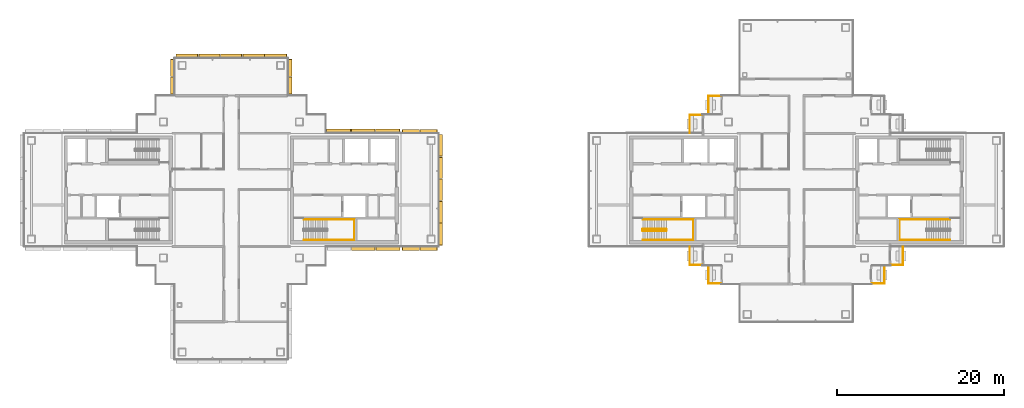
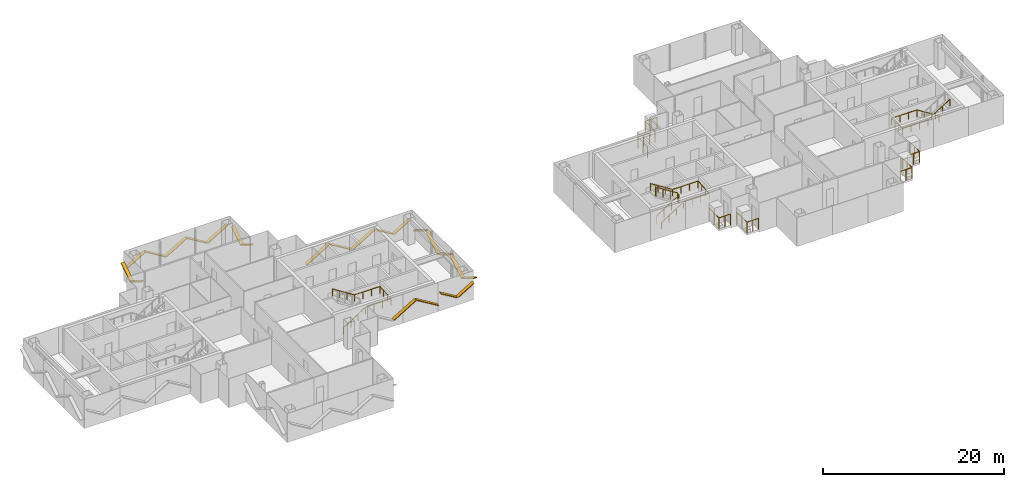
# One storey, part 15 of 17: 23 shading devices, 10 railings.
"""IFC4 building model written with IfcOpenShell, lengths in metres."""

from ifc_helpers import new_model, si_unit, direction, frame, origin, origin_2d, place, context, subcontext, project, spatial, rectangle, circle, extrude, material, material_profile, profile_set, type_object, element, save


model = new_model("IFC4")

# Units and contexts
model_context = context("Model", 3, precision=1e-05, world=origin(), true_north=direction((0.0, 1.0)))
body_context = subcontext(model_context, "Body", "Model", "MODEL_VIEW")
ifc_project = project(units=[si_unit("LENGTHUNIT", "METRE"), si_unit("AREAUNIT", "SQUARE_METRE"), si_unit("VOLUMEUNIT", "CUBIC_METRE"), si_unit("PLANEANGLEUNIT", "RADIAN"), si_unit("MASSUNIT", "GRAM", prefix="KILO")], contexts=[model_context])

# Site, building, storey
site_placement = place(None, origin())
site = spatial("IfcSite", under=ifc_project, at=site_placement, CompositionType="ELEMENT")
building_placement = place(site_placement, origin())
building = spatial("IfcBuilding", under=site, at=building_placement, Name="Shamsa Quay Exchange Towers", CompositionType="ELEMENT")
storey_placement = place(building_placement, frame((0.0, 0.0, 230.39990234375)))
storey = spatial("IfcBuildingStorey", under=building, at=storey_placement, Name="L55", CompositionType="ELEMENT", Elevation=230.39990234375)

# Railings
ifc_material_1 = material(Name="Steel S355, black powder-coated", Category="steel")
railing_type_1 = type_object("IfcRailingType", Name="BALCONY GUARD 1500", PredefinedType="GUARDRAIL", material=ifc_material_1)
for number, where, name in (
    (1, (24.72900390625, 11.199951171875, 0.0), "Balcony guard T2-PKEN L55"),
    (2, (22.47900390625, 8.949951171875, 0.0), "Balcony guard T2-PKEN L55"),
):
    element("IfcRailing", number, at=place(storey_placement, frame(where)), inside=storey, type_object=railing_type_1, Name=name, PredefinedType="GUARDRAIL", context=body_context, shape_type="SweptSolid", body=[
        extrude(circle(Radius=0.02392578125, at=origin_2d()), frame((0.0, 0.0, 1.47607421875), z_axis=(-1.0, 0.0, 0.0), x_axis=(0.0, -1.0, 0.0)), (0.0, 0.0, 1.0), 1.47900390625),
        extrude(circle(Radius=0.02392578125, at=origin_2d()), frame((-1.47900390625, 0.0, 1.47607421875), z_axis=(0.0, -1.0, 0.0), x_axis=(1.0, 0.0, 0.0)), (0.0, 0.0, 1.0), 2.161865234375),
        extrude(circle(Radius=0.02099609375, at=origin_2d()), origin(), (0.0, 0.0, 1.0), 1.451904296875),
        extrude(circle(Radius=0.02099609375, at=origin_2d()), frame((-0.739501953125, 0.0, 0.0)), (0.0, 0.0, 1.0), 1.451904296875),
        extrude(circle(Radius=0.02099609375, at=origin_2d()), frame((-1.47900390625, 0.0, 0.0)), (0.0, 0.0, 1.0), 1.451904296875),
        extrude(circle(Radius=0.02099609375, at=origin_2d()), frame((-1.47900390625, -1.0810546875, 0.0)), (0.0, 0.0, 1.0), 1.451904296875),
        extrude(circle(Radius=0.02099609375, at=origin_2d()), frame((-1.47900390625, -2.161865234375, 0.0)), (0.0, 0.0, 1.0), 1.451904296875),
    ])
for number, where, name in (
    (3, (21.0, -6.7880859375, 0.0), "Balcony guard T2-PKWN L55"),
    (4, (23.25, -9.0380859375, 0.0), "Balcony guard T2-PKWN L55"),
):
    element("IfcRailing", number, at=place(storey_placement, frame(where)), inside=storey, type_object=railing_type_1, Name=name, PredefinedType="GUARDRAIL", context=body_context, shape_type="SweptSolid", body=[
        extrude(circle(Radius=0.02392578125, at=origin_2d()), frame((0.0, 0.0, 1.47607421875), z_axis=(0.0, -1.0, 0.0), x_axis=(1.0, 0.0, 0.0)), (0.0, 0.0, 1.0), 2.161865234375),
        extrude(circle(Radius=0.02392578125, at=origin_2d()), frame((0.0, -2.161865234375, 1.47607421875), z_axis=(1.0, 0.0, 0.0), x_axis=(0.0, 1.0, 0.0)), (0.0, 0.0, 1.0), 1.47900390625),
        extrude(circle(Radius=0.02099609375, at=origin_2d()), origin(), (0.0, 0.0, 1.0), 1.451904296875),
        extrude(circle(Radius=0.02099609375, at=origin_2d()), frame((0.0, -1.0810546875, 0.0)), (0.0, 0.0, 1.0), 1.451904296875),
        extrude(circle(Radius=0.02099609375, at=origin_2d()), frame((0.0, -2.161865234375, 0.0)), (0.0, 0.0, 1.0), 1.451904296875),
        extrude(circle(Radius=0.02099609375, at=origin_2d()), frame((0.739501953125, -2.161865234375, 0.0)), (0.0, 0.0, 1.0), 1.451904296875),
        extrude(circle(Radius=0.02099609375, at=origin_2d()), frame((1.47900390625, -2.161865234375, 0.0)), (0.0, 0.0, 1.0), 1.451904296875),
    ])
for number, where, name in (
    (5, (42.77099609375, -11.199951171875, 0.0), "Balcony guard T2-PKWS L55"),
    (6, (45.02099609375, -8.949951171875, 0.0), "Balcony guard T2-PKWS L55"),
):
    element("IfcRailing", number, at=place(storey_placement, frame(where)), inside=storey, type_object=railing_type_1, Name=name, PredefinedType="GUARDRAIL", context=body_context, shape_type="SweptSolid", body=[
        extrude(circle(Radius=0.02392578125, at=origin_2d()), frame((0.0, 0.0, 1.47607421875), z_axis=(1.0, 0.0, 0.0), x_axis=(0.0, 1.0, 0.0)), (0.0, 0.0, 1.0), 1.47900390625),
        extrude(circle(Radius=0.02392578125, at=origin_2d()), frame((1.47900390625, 0.0, 1.47607421875), z_axis=(0.0, 1.0, 0.0), x_axis=(-1.0, 0.0, 0.0)), (0.0, 0.0, 1.0), 2.161865234375),
        extrude(circle(Radius=0.02099609375, at=origin_2d()), origin(), (0.0, 0.0, 1.0), 1.451904296875),
        extrude(circle(Radius=0.02099609375, at=origin_2d()), frame((0.739501953125, 0.0, 0.0)), (0.0, 0.0, 1.0), 1.451904296875),
        extrude(circle(Radius=0.02099609375, at=origin_2d()), frame((1.47900390625, 0.0, 0.0)), (0.0, 0.0, 1.0), 1.451904296875),
        extrude(circle(Radius=0.02099609375, at=origin_2d()), frame((1.47900390625, 1.0810546875, 0.0)), (0.0, 0.0, 1.0), 1.451904296875),
        extrude(circle(Radius=0.02099609375, at=origin_2d()), frame((1.47900390625, 2.161865234375, 0.0)), (0.0, 0.0, 1.0), 1.451904296875),
    ])

# Shading devices
ifc_material_2 = material(Name="Aluminium EN AW-6063 T6, black anodised", Category="aluminium")
ifc_material_profile = material_profile(ifc_material_2, rectangle(XDim=0.449951171875, YDim=0.10009765625, at=origin_2d()), Name="FIN450x100")
ifc_profile_set = profile_set([ifc_material_profile], Name="Aluminium EN AW-6063 T6, black anodised")
shading_device_type = type_object("IfcShadingDeviceType", Name="FIN 450x100 BLACK ALUMINIUM", PredefinedType="USERDEFINED", material=ifc_profile_set)
shading_device_1_placement = place(storey_placement, frame((-19.374755859375, -7.01904296875, 0.7626953125), z_axis=(0.857168152113, 0.0, 0.515036657922), x_axis=(0.0, 1.0, 0.0)))
element("IfcShadingDevice", 7, at=shading_device_1_placement, inside=storey, type_object=shading_device_type, Name="FIN T1 chevron rib", ObjectType="FIN", PredefinedType="USERDEFINED", context=body_context, shape_type="SweptSolid", body=[
    extrude(rectangle(XDim=0.449951171875, YDim=0.10009765625, at=origin_2d()), origin(), (0.0, 0.0, 1.0), 3.251708984375),
])
shading_device_2_placement = place(storey_placement, frame((-16.4873046875, -7.01904296875, 2.45263671875), z_axis=(0.857141320927, 0.0, -0.515081310046), x_axis=(0.0, 1.0, 0.0)))
element("IfcShadingDevice", 8, at=shading_device_2_placement, inside=storey, type_object=shading_device_type, Name="FIN T1 chevron rib", ObjectType="FIN", PredefinedType="USERDEFINED", context=body_context, shape_type="SweptSolid", body=[
    extrude(rectangle(XDim=0.449951171875, YDim=0.10009765625, at=origin_2d()), origin(), (0.0, 0.0, 1.0), 3.310302734375),
])
for number, where, z_axis, x_axis, name in (
    (9, (-13.35009765625, -7.014892578125, 2.216064453125), (0.857141460525, 0.0, -0.515081077743), (0.0, 1.0, 0.0), "FIN T1 chevron rib"),
    (10, (-11.199951171875, -7.014892578125, 0.984130859375), (0.857141460525, 0.0, 0.515081077743), (0.0, 1.0, 0.0), "FIN T1 chevron rib"),
):
    element("IfcShadingDevice", number, at=place(storey_placement, frame(where, z_axis=z_axis, x_axis=x_axis)), inside=storey, type_object=shading_device_type, Name=name, ObjectType="FIN", PredefinedType="USERDEFINED", context=body_context, shape_type="SweptSolid", body=[
        extrude(rectangle(XDim=0.449951171875, YDim=0.10009765625, at=origin_2d()), origin(), (0.0, 0.0, 1.0), 2.391845703125),
    ])
shading_device_3_placement = place(storey_placement, frame((-8.735107421875, -6.60009765625, 2.378173828125), z_axis=(0.0, 0.857186216295, -0.515006592767), x_axis=(-1.0, 0.0, 0.0)))
element("IfcShadingDevice", 11, at=shading_device_3_placement, inside=storey, type_object=shading_device_type, Name="FIN T1 chevron rib", ObjectType="FIN", PredefinedType="USERDEFINED", context=body_context, shape_type="SweptSolid", body=[
    extrude(rectangle(XDim=0.449951171875, YDim=0.10009765625, at=origin_2d()), origin(), (0.0, 0.0, 1.0), 3.021728515625),
])
shading_device_4_placement = place(storey_placement, frame((-8.735107421875, -3.909912109375, 0.8369140625), z_axis=(0.0, 0.857121939939, 0.515113560367), x_axis=(-1.0, 0.0, 0.0)))
element("IfcShadingDevice", 12, at=shading_device_4_placement, inside=storey, type_object=shading_device_type, Name="FIN T1 chevron rib", ObjectType="FIN", PredefinedType="USERDEFINED", context=body_context, shape_type="SweptSolid", body=[
    extrude(rectangle(XDim=0.449951171875, YDim=0.10009765625, at=origin_2d()), origin(), (0.0, 0.0, 1.0), 2.963134765625),
])
shading_device_5_placement = place(storey_placement, frame((-8.735107421875, -1.27001953125, 2.36328125), z_axis=(0.0, 0.857143799628, -0.515077185244), x_axis=(-1.0, 0.0, 0.0)))
element("IfcShadingDevice", 13, at=shading_device_5_placement, inside=storey, type_object=shading_device_type, Name="FIN T1 chevron rib", ObjectType="FIN", PredefinedType="USERDEFINED", context=body_context, shape_type="SweptSolid", body=[
    extrude(rectangle(XDim=0.449951171875, YDim=0.10009765625, at=origin_2d()), origin(), (0.0, 0.0, 1.0), 2.96337890625),
])
shading_device_6_placement = place(storey_placement, frame((-8.735107421875, 1.3701171875, 0.8369140625), z_axis=(0.0, 0.857121939939, 0.515113560367), x_axis=(-1.0, 0.0, 0.0)))
element("IfcShadingDevice", 14, at=shading_device_6_placement, inside=storey, type_object=shading_device_type, Name="FIN T1 chevron rib", ObjectType="FIN", PredefinedType="USERDEFINED", context=body_context, shape_type="SweptSolid", body=[
    extrude(rectangle(XDim=0.449951171875, YDim=0.10009765625, at=origin_2d()), origin(), (0.0, 0.0, 1.0), 2.963134765625),
])
shading_device_7_placement = place(storey_placement, frame((-8.735107421875, 4.010009765625, 2.378173828125), z_axis=(0.0, 0.857186216295, -0.515006592767), x_axis=(-1.0, 0.0, 0.0)))
element("IfcShadingDevice", 15, at=shading_device_7_placement, inside=storey, type_object=shading_device_type, Name="FIN T1 chevron rib", ObjectType="FIN", PredefinedType="USERDEFINED", context=body_context, shape_type="SweptSolid", body=[
    extrude(rectangle(XDim=0.449951171875, YDim=0.10009765625, at=origin_2d()), origin(), (0.0, 0.0, 1.0), 3.021728515625),
])
for number, where, z_axis, x_axis, name in (
    (16, (-9.14990234375, 7.014892578125, 2.216064453125), (-0.857141460525, 0.0, -0.515081077743), (0.0, -1.0, 0.0), "FIN T1 chevron rib"),
    (17, (-11.300048828125, 7.014892578125, 0.984130859375), (-0.857141460525, 0.0, 0.515081077743), (0.0, -1.0, 0.0), "FIN T1 chevron rib"),
):
    element("IfcShadingDevice", number, at=place(storey_placement, frame(where, z_axis=z_axis, x_axis=x_axis)), inside=storey, type_object=shading_device_type, Name=name, ObjectType="FIN", PredefinedType="USERDEFINED", context=body_context, shape_type="SweptSolid", body=[
        extrude(rectangle(XDim=0.449951171875, YDim=0.10009765625, at=origin_2d()), origin(), (0.0, 0.0, 1.0), 2.391845703125),
    ])
shading_device_8_placement = place(storey_placement, frame((-13.64990234375, 7.01904296875, 2.456298828125), z_axis=(-0.857181785947, 0.0, -0.515013966646), x_axis=(0.0, -1.0, 0.0)))
element("IfcShadingDevice", 18, at=shading_device_8_placement, inside=storey, type_object=shading_device_type, Name="FIN T1 chevron rib", ObjectType="FIN", PredefinedType="USERDEFINED", context=body_context, shape_type="SweptSolid", body=[
    extrude(rectangle(XDim=0.449951171875, YDim=0.10009765625, at=origin_2d()), origin(), (0.0, 0.0, 1.0), 3.324951171875),
])
shading_device_9_placement = place(storey_placement, frame((-16.60009765625, 7.01904296875, 0.7587890625), z_axis=(-0.857123399088, 0.0, 0.515111132413), x_axis=(0.0, -1.0, 0.0)))
element("IfcShadingDevice", 19, at=shading_device_9_placement, inside=storey, type_object=shading_device_type, Name="FIN T1 chevron rib", ObjectType="FIN", PredefinedType="USERDEFINED", context=body_context, shape_type="SweptSolid", body=[
    extrude(rectangle(XDim=0.449951171875, YDim=0.10009765625, at=origin_2d()), origin(), (0.0, 0.0, 1.0), 3.2666015625),
])
shading_device_10_placement = place(storey_placement, frame((-19.5, 7.01904296875, 2.456298828125), z_axis=(-0.857181785947, 0.0, -0.515013966646), x_axis=(0.0, -1.0, 0.0)))
element("IfcShadingDevice", 20, at=shading_device_10_placement, inside=storey, type_object=shading_device_type, Name="FIN T1 chevron rib", ObjectType="FIN", PredefinedType="USERDEFINED", context=body_context, shape_type="SweptSolid", body=[
    extrude(rectangle(XDim=0.449951171875, YDim=0.10009765625, at=origin_2d()), origin(), (0.0, 0.0, 1.0), 3.324951171875),
])
for number, where, z_axis, x_axis, name in (
    (21, (-26.735107421875, 11.43798828125, 2.210205078125), (0.0, 0.857192750628, -0.51499571675), (-1.0, 0.0, 0.0), "FIN T1 chevron rib"),
    (22, (-26.735107421875, 13.569091796875, 0.989990234375), (0.0, 0.857192750628, 0.51499571675), (-1.0, 0.0, 0.0), "FIN T1 chevron rib"),
):
    element("IfcShadingDevice", number, at=place(storey_placement, frame(where, z_axis=z_axis, x_axis=x_axis)), inside=storey, type_object=shading_device_type, Name=name, ObjectType="FIN", PredefinedType="USERDEFINED", context=body_context, shape_type="SweptSolid", body=[
        extrude(rectangle(XDim=0.449951171875, YDim=0.10009765625, at=origin_2d()), origin(), (0.0, 0.0, 1.0), 2.369384765625),
    ])
shading_device_11_placement = place(storey_placement, frame((-27.14990234375, 16.014892578125, 2.378173828125), z_axis=(-0.857186216295, 0.0, -0.515006592767), x_axis=(0.0, -1.0, 0.0)))
element("IfcShadingDevice", 23, at=shading_device_11_placement, inside=storey, type_object=shading_device_type, Name="FIN T1 chevron rib", ObjectType="FIN", PredefinedType="USERDEFINED", context=body_context, shape_type="SweptSolid", body=[
    extrude(rectangle(XDim=0.449951171875, YDim=0.10009765625, at=origin_2d()), origin(), (0.0, 0.0, 1.0), 3.021728515625),
])
shading_device_12_placement = place(storey_placement, frame((-29.840087890625, 16.014892578125, 0.8369140625), z_axis=(-0.857121939939, 0.0, 0.515113560367), x_axis=(0.0, -1.0, 0.0)))
element("IfcShadingDevice", 24, at=shading_device_12_placement, inside=storey, type_object=shading_device_type, Name="FIN T1 chevron rib", ObjectType="FIN", PredefinedType="USERDEFINED", context=body_context, shape_type="SweptSolid", body=[
    extrude(rectangle(XDim=0.449951171875, YDim=0.10009765625, at=origin_2d()), origin(), (0.0, 0.0, 1.0), 2.963134765625),
])
shading_device_13_placement = place(storey_placement, frame((-32.47998046875, 16.014892578125, 2.36328125), z_axis=(-0.857143799628, 0.0, -0.515077185244), x_axis=(0.0, -1.0, 0.0)))
element("IfcShadingDevice", 25, at=shading_device_13_placement, inside=storey, type_object=shading_device_type, Name="FIN T1 chevron rib", ObjectType="FIN", PredefinedType="USERDEFINED", context=body_context, shape_type="SweptSolid", body=[
    extrude(rectangle(XDim=0.449951171875, YDim=0.10009765625, at=origin_2d()), origin(), (0.0, 0.0, 1.0), 2.96337890625),
])
shading_device_14_placement = place(storey_placement, frame((-35.1201171875, 16.014892578125, 0.8369140625), z_axis=(-0.857121939939, 0.0, 0.515113560367), x_axis=(0.0, -1.0, 0.0)))
element("IfcShadingDevice", 26, at=shading_device_14_placement, inside=storey, type_object=shading_device_type, Name="FIN T1 chevron rib", ObjectType="FIN", PredefinedType="USERDEFINED", context=body_context, shape_type="SweptSolid", body=[
    extrude(rectangle(XDim=0.449951171875, YDim=0.10009765625, at=origin_2d()), origin(), (0.0, 0.0, 1.0), 2.963134765625),
])
shading_device_15_placement = place(storey_placement, frame((-37.760009765625, 16.014892578125, 2.378173828125), z_axis=(-0.857186216295, 0.0, -0.515006592767), x_axis=(0.0, -1.0, 0.0)))
element("IfcShadingDevice", 27, at=shading_device_15_placement, inside=storey, type_object=shading_device_type, Name="FIN T1 chevron rib", ObjectType="FIN", PredefinedType="USERDEFINED", context=body_context, shape_type="SweptSolid", body=[
    extrude(rectangle(XDim=0.449951171875, YDim=0.10009765625, at=origin_2d()), origin(), (0.0, 0.0, 1.0), 3.021728515625),
])
for number, where, z_axis, x_axis, name in (
    (28, (-40.764892578125, 15.60009765625, 2.216064453125), (0.0, -0.857141460525, -0.515081077743), (1.0, 0.0, 0.0), "FIN T1 chevron rib"),
    (29, (-40.764892578125, 13.449951171875, 0.984130859375), (0.0, -0.857141460525, 0.515081077743), (1.0, 0.0, 0.0), "FIN T1 chevron rib"),
):
    element("IfcShadingDevice", number, at=place(storey_placement, frame(where, z_axis=z_axis, x_axis=x_axis)), inside=storey, type_object=shading_device_type, Name=name, ObjectType="FIN", PredefinedType="USERDEFINED", context=body_context, shape_type="SweptSolid", body=[
        extrude(rectangle(XDim=0.449951171875, YDim=0.10009765625, at=origin_2d()), origin(), (0.0, 0.0, 1.0), 2.391845703125),
    ])

# Railings
ifc_material_3 = material(Name="Stainless steel", Category="steel")
railing_type_2 = type_object("IfcRailingType", Name="STAIR GUARD 1100", PredefinedType="GUARDRAIL", material=ifc_material_3)
railing_1_placement = place(storey_placement, frame((15.39990234375, -4.89990234375, 0.177490234375)))
element("IfcRailing", 30, at=railing_1_placement, inside=storey, type_object=railing_type_2, Name="L55 ST4 stair guard 1", PredefinedType="GUARDRAIL", context=body_context, shape_type="SweptSolid", body=[
    extrude(circle(Radius=0.02392578125, at=origin_2d()), frame((0.0, 0.0, 1.076171875), z_axis=(0.844908973607, 0.0, 0.534910110503), x_axis=(0.0, 1.0, 0.0)), (0.0, 0.0, 1.0), 3.31396484375),
    extrude(circle(Radius=0.02392578125, at=origin_2d()), frame((2.800048828125, 0.0, 2.8486328125), z_axis=(0.708833529934, 0.705375805398, 0.0), x_axis=(-0.705375805398, 0.708833529934, 0.0)), (0.0, 0.0, 1.0), 0.070556640625),
    extrude(circle(Radius=0.02392578125, at=origin_2d()), frame((2.85009765625, 0.0498046875, 2.8486328125), z_axis=(0.0, 1.0, 0.0), x_axis=(-1.0, 0.0, 0.0)), (0.0, 0.0, 1.0), 0.150146484375),
    extrude(circle(Radius=0.02392578125, at=origin_2d()), frame((2.85009765625, 0.199951171875, 2.8486328125), z_axis=(-0.262233686654, 0.262233686654, 0.928691007369), x_axis=(-0.707106781187, -0.707106781187, 0.0)), (0.0, 0.0, 1.0), 0.19091796875),
    extrude(circle(Radius=0.02392578125, at=origin_2d()), frame((2.800048828125, 0.25, 3.02587890625), z_axis=(-0.844908973607, 0.0, 0.534910110503), x_axis=(0.0, -1.0, 0.0)), (0.0, 0.0, 1.0), 3.31396484375),
    extrude(circle(Radius=0.02392578125, at=origin_2d()), frame((0.0, 0.25, 4.798828125), z_axis=(-0.24142163986, -0.970420317083, 0.0), x_axis=(0.970420317083, -0.24142163986, 0.0)), (0.0, 0.0, 1.0), 0.206298828125),
    extrude(circle(Radius=0.02392578125, at=origin_2d()), frame((-0.0498046875, 0.0498046875, 4.798828125), z_axis=(0.0, 1.0, 0.0), x_axis=(-1.0, 0.0, 0.0)), (0.0, 0.0, 1.0), 0.150146484375),
    extrude(circle(Radius=0.02099609375, at=origin_2d()), origin(), (0.0, 0.0, 1.0), 1.052001953125),
    extrude(circle(Radius=0.02099609375, at=origin_2d()), frame((0.933349609375, 0.0, 0.5908203125)), (0.0, 0.0, 1.0), 1.052001953125),
    extrude(circle(Radius=0.02099609375, at=origin_2d()), frame((1.86669921875, 0.0, 1.181884765625)), (0.0, 0.0, 1.0), 1.052001953125),
    extrude(circle(Radius=0.02099609375, at=origin_2d()), frame((2.800048828125, 0.0, 1.772705078125)), (0.0, 0.0, 1.0), 1.052001953125),
    extrude(circle(Radius=0.02099609375, at=origin_2d()), frame((2.85009765625, 0.0498046875, 1.772705078125)), (0.0, 0.0, 1.0), 1.052001953125),
    extrude(circle(Radius=0.02099609375, at=origin_2d()), frame((2.85009765625, 0.199951171875, 1.772705078125)), (0.0, 0.0, 1.0), 1.052001953125),
    extrude(circle(Radius=0.02099609375, at=origin_2d()), frame((2.800048828125, 0.25, 1.949951171875)), (0.0, 0.0, 1.0), 1.052001953125),
    extrude(circle(Radius=0.02099609375, at=origin_2d()), frame((1.86669921875, 0.25, 2.540771484375)), (0.0, 0.0, 1.0), 1.052001953125),
    extrude(circle(Radius=0.02099609375, at=origin_2d()), frame((0.933349609375, 0.25, 3.1318359375)), (0.0, 0.0, 1.0), 1.052001953125),
    extrude(circle(Radius=0.02099609375, at=origin_2d()), frame((0.0, 0.25, 3.72265625)), (0.0, 0.0, 1.0), 1.052001953125),
    extrude(circle(Radius=0.02099609375, at=origin_2d()), frame((-0.0498046875, 0.0498046875, 3.72265625)), (0.0, 0.0, 1.0), 1.052001953125),
    extrude(circle(Radius=0.02099609375, at=origin_2d()), frame((-0.0498046875, 0.199951171875, 3.72265625)), (0.0, 0.0, 1.0), 1.052001953125),
])
railing_type_3 = type_object("IfcRailingType", Name="STAIR HANDRAIL 900", PredefinedType="HANDRAIL", material=ifc_material_3)
railing_2_placement = place(storey_placement, frame((-25.10009765625, -6.0, 0.177490234375)))
element("IfcRailing", 31, at=railing_2_placement, inside=storey, type_object=railing_type_3, Name="L55 ST1 stair handrail 1", PredefinedType="HANDRAIL", context=body_context, shape_type="SweptSolid", body=[
    extrude(circle(Radius=0.02392578125, at=origin_2d()), frame((0.0, 0.0, 0.8759765625), z_axis=(0.844908973607, 0.0, 0.534910110503), x_axis=(0.0, 1.0, 0.0)), (0.0, 0.0, 1.0), 3.31396484375),
    extrude(circle(Radius=0.02392578125, at=origin_2d()), frame((2.800048828125, 0.0, 2.6484375), z_axis=(1.0, 0.0, 0.0), x_axis=(0.0, 1.0, 0.0)), (0.0, 0.0, 1.0), 3.25),
    extrude(circle(Radius=0.02392578125, at=origin_2d()), frame((6.050048828125, 0.0, 2.6484375), z_axis=(0.0, 0.997393199914, 0.07215819264), x_axis=(-1.0, 0.0, 0.0)), (0.0, 0.0, 1.0), 2.456298828125),
    extrude(circle(Radius=0.02392578125, at=origin_2d()), frame((6.050048828125, 2.449951171875, 2.82568359375), z_axis=(-1.0, 0.0, 0.0), x_axis=(0.0, -1.0, 0.0)), (0.0, 0.0, 1.0), 3.25),
    extrude(circle(Radius=0.02392578125, at=origin_2d()), frame((2.800048828125, 2.449951171875, 2.82568359375), z_axis=(-0.844908973607, 0.0, 0.534910110503), x_axis=(0.0, -1.0, 0.0)), (0.0, 0.0, 1.0), 3.31396484375),
    extrude(circle(Radius=0.02099609375, at=origin_2d()), origin(), (0.0, 0.0, 1.0), 0.851806640625),
    extrude(circle(Radius=0.02099609375, at=origin_2d()), frame((0.933349609375, 0.0, 0.5908203125)), (0.0, 0.0, 1.0), 0.851806640625),
    extrude(circle(Radius=0.02099609375, at=origin_2d()), frame((1.86669921875, 0.0, 1.181884765625)), (0.0, 0.0, 1.0), 0.851806640625),
    extrude(circle(Radius=0.02099609375, at=origin_2d()), frame((2.800048828125, 0.0, 1.772705078125)), (0.0, 0.0, 1.0), 0.851806640625),
    extrude(circle(Radius=0.02099609375, at=origin_2d()), frame((3.88330078125, 0.0, 1.772705078125)), (0.0, 0.0, 1.0), 0.851806640625),
    extrude(circle(Radius=0.02099609375, at=origin_2d()), frame((4.966796875, 0.0, 1.772705078125)), (0.0, 0.0, 1.0), 0.851806640625),
    extrude(circle(Radius=0.02099609375, at=origin_2d()), frame((6.050048828125, 0.0, 1.772705078125)), (0.0, 0.0, 1.0), 0.851806640625),
    extrude(circle(Radius=0.02099609375, at=origin_2d()), frame((6.050048828125, 0.816650390625, 1.831787109375)), (0.0, 0.0, 1.0), 0.851806640625),
    extrude(circle(Radius=0.02099609375, at=origin_2d()), frame((6.050048828125, 1.63330078125, 1.890869140625)), (0.0, 0.0, 1.0), 0.851806640625),
    extrude(circle(Radius=0.02099609375, at=origin_2d()), frame((6.050048828125, 2.449951171875, 1.949951171875)), (0.0, 0.0, 1.0), 0.851806640625),
    extrude(circle(Radius=0.02099609375, at=origin_2d()), frame((4.966796875, 2.449951171875, 1.949951171875)), (0.0, 0.0, 1.0), 0.851806640625),
    extrude(circle(Radius=0.02099609375, at=origin_2d()), frame((3.88330078125, 2.449951171875, 1.949951171875)), (0.0, 0.0, 1.0), 0.851806640625),
    extrude(circle(Radius=0.02099609375, at=origin_2d()), frame((2.800048828125, 2.449951171875, 1.949951171875)), (0.0, 0.0, 1.0), 0.851806640625),
    extrude(circle(Radius=0.02099609375, at=origin_2d()), frame((1.86669921875, 2.449951171875, 2.540771484375)), (0.0, 0.0, 1.0), 0.851806640625),
    extrude(circle(Radius=0.02099609375, at=origin_2d()), frame((0.933349609375, 2.449951171875, 3.1318359375)), (0.0, 0.0, 1.0), 0.851806640625),
    extrude(circle(Radius=0.02099609375, at=origin_2d()), frame((0.0, 2.449951171875, 3.72265625)), (0.0, 0.0, 1.0), 0.851806640625),
])
railing_3_placement = place(storey_placement, frame((15.39990234375, -6.0, 0.177490234375)))
element("IfcRailing", 32, at=railing_3_placement, inside=storey, type_object=railing_type_3, Name="L55 ST4 stair handrail 1", PredefinedType="HANDRAIL", context=body_context, shape_type="SweptSolid", body=[
    extrude(circle(Radius=0.02392578125, at=origin_2d()), frame((0.0, 0.0, 0.8759765625), z_axis=(0.844908973607, 0.0, 0.534910110503), x_axis=(0.0, 1.0, 0.0)), (0.0, 0.0, 1.0), 3.31396484375),
    extrude(circle(Radius=0.02392578125, at=origin_2d()), frame((2.800048828125, 0.0, 2.6484375), z_axis=(1.0, 0.0, 0.0), x_axis=(0.0, 1.0, 0.0)), (0.0, 0.0, 1.0), 3.25),
    extrude(circle(Radius=0.02392578125, at=origin_2d()), frame((6.050048828125, 0.0, 2.6484375), z_axis=(0.0, 0.997393199914, 0.07215819264), x_axis=(-1.0, 0.0, 0.0)), (0.0, 0.0, 1.0), 2.456298828125),
    extrude(circle(Radius=0.02392578125, at=origin_2d()), frame((6.050048828125, 2.449951171875, 2.82568359375), z_axis=(-1.0, 0.0, 0.0), x_axis=(0.0, -1.0, 0.0)), (0.0, 0.0, 1.0), 3.25),
    extrude(circle(Radius=0.02392578125, at=origin_2d()), frame((2.800048828125, 2.449951171875, 2.82568359375), z_axis=(-0.844908973607, 0.0, 0.534910110503), x_axis=(0.0, -1.0, 0.0)), (0.0, 0.0, 1.0), 3.31396484375),
    extrude(circle(Radius=0.02099609375, at=origin_2d()), origin(), (0.0, 0.0, 1.0), 0.851806640625),
    extrude(circle(Radius=0.02099609375, at=origin_2d()), frame((0.933349609375, 0.0, 0.5908203125)), (0.0, 0.0, 1.0), 0.851806640625),
    extrude(circle(Radius=0.02099609375, at=origin_2d()), frame((1.86669921875, 0.0, 1.181884765625)), (0.0, 0.0, 1.0), 0.851806640625),
    extrude(circle(Radius=0.02099609375, at=origin_2d()), frame((2.800048828125, 0.0, 1.772705078125)), (0.0, 0.0, 1.0), 0.851806640625),
    extrude(circle(Radius=0.02099609375, at=origin_2d()), frame((3.88330078125, 0.0, 1.772705078125)), (0.0, 0.0, 1.0), 0.851806640625),
    extrude(circle(Radius=0.02099609375, at=origin_2d()), frame((4.966796875, 0.0, 1.772705078125)), (0.0, 0.0, 1.0), 0.851806640625),
    extrude(circle(Radius=0.02099609375, at=origin_2d()), frame((6.050048828125, 0.0, 1.772705078125)), (0.0, 0.0, 1.0), 0.851806640625),
    extrude(circle(Radius=0.02099609375, at=origin_2d()), frame((6.050048828125, 0.816650390625, 1.831787109375)), (0.0, 0.0, 1.0), 0.851806640625),
    extrude(circle(Radius=0.02099609375, at=origin_2d()), frame((6.050048828125, 1.63330078125, 1.890869140625)), (0.0, 0.0, 1.0), 0.851806640625),
    extrude(circle(Radius=0.02099609375, at=origin_2d()), frame((6.050048828125, 2.449951171875, 1.949951171875)), (0.0, 0.0, 1.0), 0.851806640625),
    extrude(circle(Radius=0.02099609375, at=origin_2d()), frame((4.966796875, 2.449951171875, 1.949951171875)), (0.0, 0.0, 1.0), 0.851806640625),
    extrude(circle(Radius=0.02099609375, at=origin_2d()), frame((3.88330078125, 2.449951171875, 1.949951171875)), (0.0, 0.0, 1.0), 0.851806640625),
    extrude(circle(Radius=0.02099609375, at=origin_2d()), frame((2.800048828125, 2.449951171875, 1.949951171875)), (0.0, 0.0, 1.0), 0.851806640625),
    extrude(circle(Radius=0.02099609375, at=origin_2d()), frame((1.86669921875, 2.449951171875, 2.540771484375)), (0.0, 0.0, 1.0), 0.851806640625),
    extrude(circle(Radius=0.02099609375, at=origin_2d()), frame((0.933349609375, 2.449951171875, 3.1318359375)), (0.0, 0.0, 1.0), 0.851806640625),
    extrude(circle(Radius=0.02099609375, at=origin_2d()), frame((0.0, 2.449951171875, 3.72265625)), (0.0, 0.0, 1.0), 0.851806640625),
])
railing_4_placement = place(storey_placement, frame((52.10009765625, -3.550048828125, 0.177490234375)))
element("IfcRailing", 33, at=railing_4_placement, inside=storey, type_object=railing_type_3, Name="L55 ST5 stair handrail 1", PredefinedType="HANDRAIL", context=body_context, shape_type="SweptSolid", body=[
    extrude(circle(Radius=0.02392578125, at=origin_2d()), frame((0.0, 0.0, 0.8759765625), z_axis=(-0.844908973607, 0.0, 0.534910110503), x_axis=(0.0, -1.0, 0.0)), (0.0, 0.0, 1.0), 3.31396484375),
    extrude(circle(Radius=0.02392578125, at=origin_2d()), frame((-2.800048828125, 0.0, 2.6484375), z_axis=(-1.0, 0.0, 0.0), x_axis=(0.0, -1.0, 0.0)), (0.0, 0.0, 1.0), 3.25),
    extrude(circle(Radius=0.02392578125, at=origin_2d()), frame((-6.050048828125, 0.0, 2.6484375), z_axis=(0.0, -0.997393199914, 0.07215819264), x_axis=(1.0, 0.0, 0.0)), (0.0, 0.0, 1.0), 2.456298828125),
    extrude(circle(Radius=0.02392578125, at=origin_2d()), frame((-6.050048828125, -2.449951171875, 2.82568359375), z_axis=(1.0, 0.0, 0.0), x_axis=(0.0, 1.0, 0.0)), (0.0, 0.0, 1.0), 3.25),
    extrude(circle(Radius=0.02392578125, at=origin_2d()), frame((-2.800048828125, -2.449951171875, 2.82568359375), z_axis=(0.844908973607, 0.0, 0.534910110503), x_axis=(0.0, 1.0, 0.0)), (0.0, 0.0, 1.0), 3.31396484375),
    extrude(circle(Radius=0.02099609375, at=origin_2d()), origin(), (0.0, 0.0, 1.0), 0.851806640625),
    extrude(circle(Radius=0.02099609375, at=origin_2d()), frame((-0.933349609375, 0.0, 0.5908203125)), (0.0, 0.0, 1.0), 0.851806640625),
    extrude(circle(Radius=0.02099609375, at=origin_2d()), frame((-1.86669921875, 0.0, 1.181884765625)), (0.0, 0.0, 1.0), 0.851806640625),
    extrude(circle(Radius=0.02099609375, at=origin_2d()), frame((-2.800048828125, 0.0, 1.772705078125)), (0.0, 0.0, 1.0), 0.851806640625),
    extrude(circle(Radius=0.02099609375, at=origin_2d()), frame((-3.88330078125, 0.0, 1.772705078125)), (0.0, 0.0, 1.0), 0.851806640625),
    extrude(circle(Radius=0.02099609375, at=origin_2d()), frame((-4.966796875, 0.0, 1.772705078125)), (0.0, 0.0, 1.0), 0.851806640625),
    extrude(circle(Radius=0.02099609375, at=origin_2d()), frame((-6.050048828125, 0.0, 1.772705078125)), (0.0, 0.0, 1.0), 0.851806640625),
    extrude(circle(Radius=0.02099609375, at=origin_2d()), frame((-6.050048828125, -0.816650390625, 1.831787109375)), (0.0, 0.0, 1.0), 0.851806640625),
    extrude(circle(Radius=0.02099609375, at=origin_2d()), frame((-6.050048828125, -1.63330078125, 1.890869140625)), (0.0, 0.0, 1.0), 0.851806640625),
    extrude(circle(Radius=0.02099609375, at=origin_2d()), frame((-6.050048828125, -2.449951171875, 1.949951171875)), (0.0, 0.0, 1.0), 0.851806640625),
    extrude(circle(Radius=0.02099609375, at=origin_2d()), frame((-4.966796875, -2.449951171875, 1.949951171875)), (0.0, 0.0, 1.0), 0.851806640625),
    extrude(circle(Radius=0.02099609375, at=origin_2d()), frame((-3.88330078125, -2.449951171875, 1.949951171875)), (0.0, 0.0, 1.0), 0.851806640625),
    extrude(circle(Radius=0.02099609375, at=origin_2d()), frame((-2.800048828125, -2.449951171875, 1.949951171875)), (0.0, 0.0, 1.0), 0.851806640625),
    extrude(circle(Radius=0.02099609375, at=origin_2d()), frame((-1.86669921875, -2.449951171875, 2.540771484375)), (0.0, 0.0, 1.0), 0.851806640625),
    extrude(circle(Radius=0.02099609375, at=origin_2d()), frame((-0.933349609375, -2.449951171875, 3.1318359375)), (0.0, 0.0, 1.0), 0.851806640625),
    extrude(circle(Radius=0.02099609375, at=origin_2d()), frame((0.0, -2.449951171875, 3.72265625)), (0.0, 0.0, 1.0), 0.851806640625),
])

save(model, "model.ifc")
